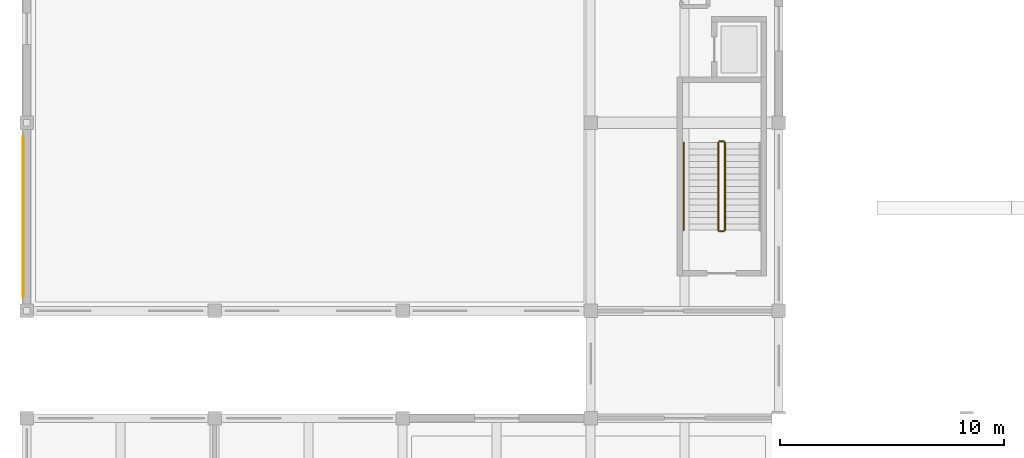
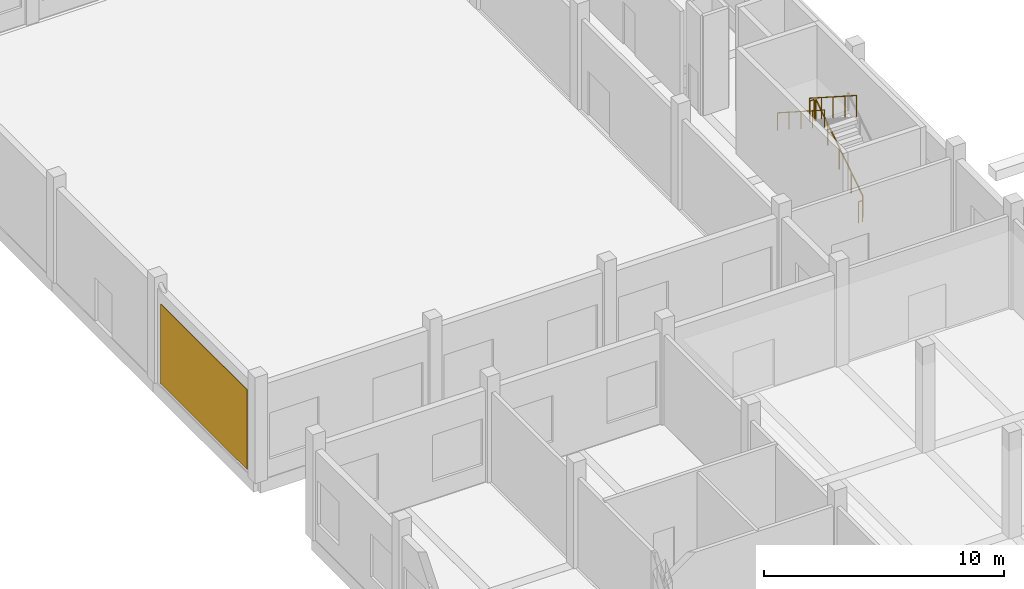
# One storey, part 34 of 41: 5 railings, 1 covering.
"""IFC4 building model written with IfcOpenShell, lengths in metres."""

from ifc_helpers import new_model, si_unit, direction, frame, origin, origin_2d, place, context, subcontext, project, spatial, polyline, circle, outline, extrude, material, layer, layer_set, type_object, element, save


model = new_model("IFC4")

# Units and contexts
model_context = context("Model", 3, precision=1e-05, world=origin(), true_north=direction((0.0, 1.0)))
body_context = subcontext(model_context, "Body", "Model", "MODEL_VIEW")
ifc_project = project(units=[si_unit("LENGTHUNIT", "METRE"), si_unit("AREAUNIT", "SQUARE_METRE"), si_unit("VOLUMEUNIT", "CUBIC_METRE"), si_unit("PLANEANGLEUNIT", "RADIAN"), si_unit("MASSUNIT", "GRAM", prefix="KILO")], contexts=[model_context])

# Site, building, storey
site_placement = place(None, origin())
site = spatial("IfcSite", under=ifc_project, at=site_placement, CompositionType="ELEMENT")
building_placement = place(site_placement, origin())
building = spatial("IfcBuilding", under=site, at=building_placement, Name="Kahlenmark Community Centre", CompositionType="ELEMENT")
storey_placement = place(building_placement, origin())
storey = spatial("IfcBuildingStorey", under=building, at=storey_placement, Name="L00", CompositionType="ELEMENT", Elevation=0.0)

# Covering
ifc_material_1 = material(Name="Honed Danube limestone plinth cladding", Category="masonry")
ifc_layer = layer(ifc_material_1, 0.0400390625)
ifc_layer_set = layer_set([ifc_layer], Name="Honed Danube limestone plinth cladding")
covering_type = type_object("IfcCoveringType", Name="CVT-CLAD-LIME", PredefinedType="CLADDING", material=ifc_layer_set)
covering_placement = place(storey_placement, frame((0.0, 0.0, 0.14990234375)))
element("IfcCovering", 1, at=covering_placement, inside=storey, type_object=covering_type, Name="Danube limestone plinth cladding 06", PredefinedType="CLADDING", context=body_context, shape_type="SweptSolid", body=[
    extrude(outline(polyline([(3.820068359375, 43.0), (3.860107421875, 43.0), (3.860107421875, 50.199951171875), (3.820068359375, 50.199951171875), (3.820068359375, 43.0)])), origin(), (0.0, 0.0, 1.0), 4.050048828125),
])

# Railings
ifc_material_2 = material(Name="Brushed stainless steel 1.4301 handrail", Category="steel")
railing_type_1 = type_object("IfcRailingType", Name="RLT-HR-900", PredefinedType="HANDRAIL", material=ifc_material_2)
railing_1_placement = place(storey_placement, frame((33.35009765625, 49.919921875, 2.8798828125)))
element("IfcRailing", 2, at=railing_1_placement, inside=storey, type_object=railing_type_1, Name="L00 ST-02 stair handrail 2", PredefinedType="HANDRAIL", context=body_context, shape_type="SweptSolid", body=[
    extrude(circle(Radius=0.02392578125, at=origin_2d()), frame((0.0, 0.0, 0.8759765625), z_axis=(0.0, -0.841171666519, 0.540768182723), x_axis=(1.0, 0.0, 0.0)), (0.0, 0.0, 1.0), 4.66015625),
    extrude(circle(Radius=0.02099609375, at=origin_2d()), origin(), (0.0, 0.0, 1.0), 0.851806640625),
    extrude(circle(Radius=0.02099609375, at=origin_2d()), frame((0.0, -0.97998046875, 0.6298828125)), (0.0, 0.0, 1.0), 0.851806640625),
    extrude(circle(Radius=0.02099609375, at=origin_2d()), frame((0.0, -1.9599609375, 1.260009765625)), (0.0, 0.0, 1.0), 0.851806640625),
    extrude(circle(Radius=0.02099609375, at=origin_2d()), frame((0.0, -2.93994140625, 1.89013671875)), (0.0, 0.0, 1.0), 0.851806640625),
    extrude(circle(Radius=0.02099609375, at=origin_2d()), frame((0.0, -3.919921875, 2.52001953125)), (0.0, 0.0, 1.0), 0.851806640625),
])
ifc_material_3 = material(Name="Powder-coated steel stair well guard", Category="steel")
railing_type_2 = type_object("IfcRailingType", Name="RLT-SG-1120", PredefinedType="GUARDRAIL", material=ifc_material_3)
railing_2_placement = place(storey_placement, frame((35.199951171875, 46.0, 0.179931640625)))
element("IfcRailing", 3, at=railing_2_placement, inside=storey, type_object=railing_type_2, Name="L00 ST-02 stair guard 1", PredefinedType="GUARDRAIL", context=body_context, shape_type="SweptSolid", body=[
    extrude(circle(Radius=0.02392578125, at=origin_2d()), frame((0.0, 0.0, 1.076171875), z_axis=(0.0, 0.841171666519, 0.540768182723), x_axis=(-1.0, 0.0, 0.0)), (0.0, 0.0, 1.0), 4.66015625),
    extrude(circle(Radius=0.02099609375, at=origin_2d()), origin(), (0.0, 0.0, 1.0), 1.052001953125),
    extrude(circle(Radius=0.02099609375, at=origin_2d()), frame((0.0, 0.97998046875, 0.6298828125)), (0.0, 0.0, 1.0), 1.052001953125),
    extrude(circle(Radius=0.02099609375, at=origin_2d()), frame((0.0, 1.9599609375, 1.260009765625)), (0.0, 0.0, 1.0), 1.052001953125),
    extrude(circle(Radius=0.02099609375, at=origin_2d()), frame((0.0, 2.93994140625, 1.89013671875)), (0.0, 0.0, 1.0), 1.052001953125),
    extrude(circle(Radius=0.02099609375, at=origin_2d()), frame((0.0, 3.919921875, 2.52001953125)), (0.0, 0.0, 1.0), 1.052001953125),
])
railing_3_placement = place(storey_placement, frame((35.14990234375, 49.969970703125, 2.699951171875)))
element("IfcRailing", 4, at=railing_3_placement, inside=storey, type_object=railing_type_2, Name="L00 ST-02 stair guard 2", PredefinedType="GUARDRAIL", context=body_context, shape_type="SweptSolid", body=[
    extrude(circle(Radius=0.02392578125, at=origin_2d()), frame((0.0, 0.0, 1.076171875), z_axis=(-1.0, 0.0, 0.0), x_axis=(0.0, -1.0, 0.0)), (0.0, 0.0, 1.0), 0.199951171875),
    extrude(circle(Radius=0.02099609375, at=origin_2d()), origin(), (0.0, 0.0, 1.0), 1.052001953125),
    extrude(circle(Radius=0.02099609375, at=origin_2d()), frame((-0.199951171875, 0.0, 0.0)), (0.0, 0.0, 1.0), 1.052001953125),
])
railing_4_placement = place(storey_placement, frame((34.89990234375, 49.919921875, 2.8798828125)))
element("IfcRailing", 5, at=railing_4_placement, inside=storey, type_object=railing_type_2, Name="L00 ST-02 stair guard 3", PredefinedType="GUARDRAIL", context=body_context, shape_type="SweptSolid", body=[
    extrude(circle(Radius=0.02392578125, at=origin_2d()), frame((0.0, 0.0, 1.076171875), z_axis=(0.0, -0.841171666519, 0.540768182723), x_axis=(1.0, 0.0, 0.0)), (0.0, 0.0, 1.0), 4.66015625),
    extrude(circle(Radius=0.02099609375, at=origin_2d()), origin(), (0.0, 0.0, 1.0), 1.052001953125),
    extrude(circle(Radius=0.02099609375, at=origin_2d()), frame((0.0, -0.97998046875, 0.6298828125)), (0.0, 0.0, 1.0), 1.052001953125),
    extrude(circle(Radius=0.02099609375, at=origin_2d()), frame((0.0, -1.9599609375, 1.260009765625)), (0.0, 0.0, 1.0), 1.052001953125),
    extrude(circle(Radius=0.02099609375, at=origin_2d()), frame((0.0, -2.93994140625, 1.89013671875)), (0.0, 0.0, 1.0), 1.052001953125),
    extrude(circle(Radius=0.02099609375, at=origin_2d()), frame((0.0, -3.919921875, 2.52001953125)), (0.0, 0.0, 1.0), 1.052001953125),
])
railing_5_placement = place(storey_placement, frame((35.14990234375, 45.949951171875, 0.0)))
element("IfcRailing", 6, at=railing_5_placement, inside=storey, type_object=railing_type_2, Name="L00 ST-02 stair guard 4", PredefinedType="GUARDRAIL", context=body_context, shape_type="SweptSolid", body=[
    extrude(circle(Radius=0.02392578125, at=origin_2d()), frame((0.0, 0.0, 1.076171875), z_axis=(-1.0, 0.0, 0.0), x_axis=(0.0, -1.0, 0.0)), (0.0, 0.0, 1.0), 0.199951171875),
    extrude(circle(Radius=0.02099609375, at=origin_2d()), origin(), (0.0, 0.0, 1.0), 1.052001953125),
    extrude(circle(Radius=0.02099609375, at=origin_2d()), frame((-0.199951171875, 0.0, 0.0)), (0.0, 0.0, 1.0), 1.052001953125),
])

save(model, "model.ifc")
